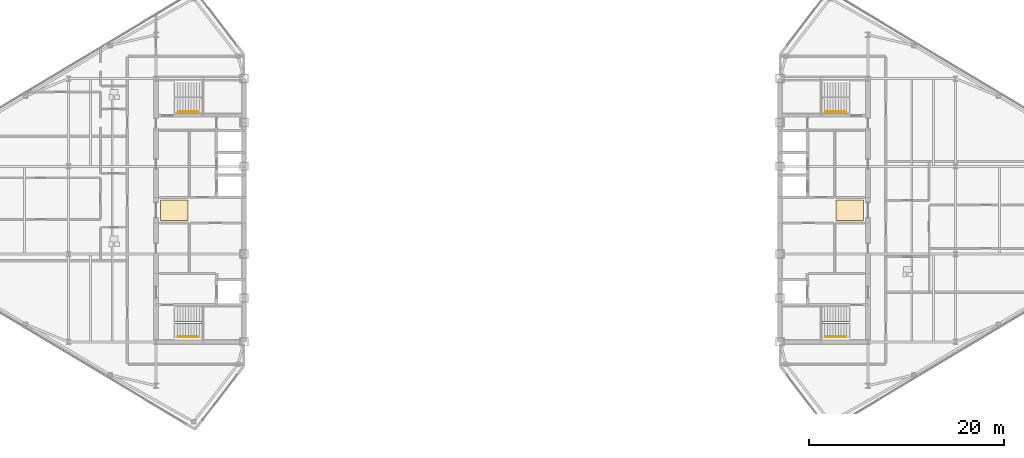
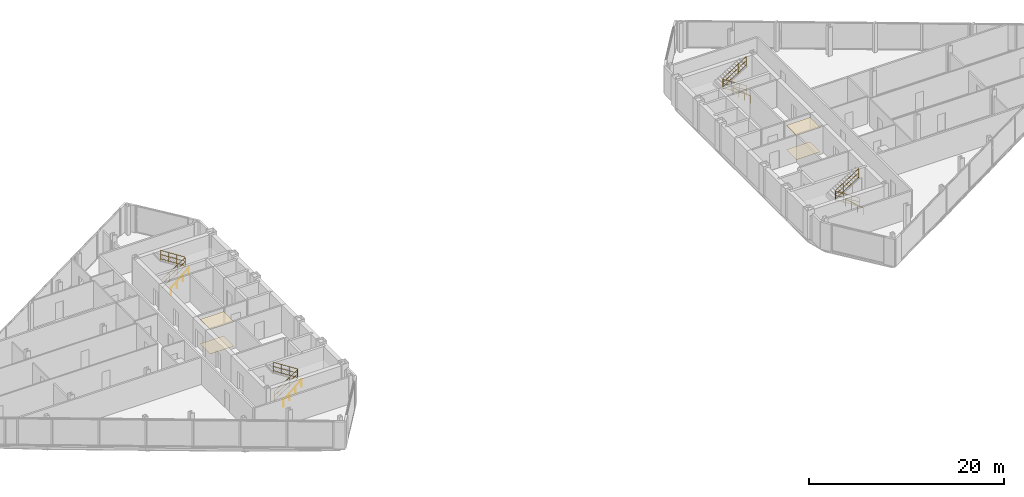
# One storey, part 24 of 25: 8 railings, 4 coverings.
"""IFC4 building model written with IfcOpenShell, lengths in metres."""

from ifc_helpers import new_model, si_unit, direction, frame, origin, origin_2d, place, context, subcontext, project, spatial, polyline, circle, outline, extrude, material, layer, layer_set, type_object, element, save


model = new_model("IFC4")

# Units and contexts
model_context = context("Model", 3, precision=1e-05, world=origin(), true_north=direction((0.0, 1.0)))
body_context = subcontext(model_context, "Body", "Model", "MODEL_VIEW")
ifc_project = project(units=[si_unit("LENGTHUNIT", "METRE"), si_unit("AREAUNIT", "SQUARE_METRE"), si_unit("VOLUMEUNIT", "CUBIC_METRE"), si_unit("PLANEANGLEUNIT", "RADIAN"), si_unit("MASSUNIT", "GRAM", prefix="KILO")], contexts=[model_context])

# Site, building, storey
site_placement = place(None, origin())
site = spatial("IfcSite", under=ifc_project, at=site_placement, CompositionType="ELEMENT")
building_placement = place(site_placement, origin())
building = spatial("IfcBuilding", under=site, at=building_placement, Name="Seokmaru Belvedere", CompositionType="ELEMENT")
storey_placement = place(building_placement, frame((0.0, 0.0, 213.89990234375)))
storey = spatial("IfcBuildingStorey", under=building, at=storey_placement, Name="L57", CompositionType="ELEMENT", Elevation=213.89990234375)

# Coverings
ifc_material_1 = material(Name="Engineered White Oak Timber", Category="wood")
ifc_layer_1 = layer(ifc_material_1, 0.02197265625)
ifc_layer_set_1 = layer_set([ifc_layer_1], Name="Engineered White Oak Timber")
covering_type_1 = type_object("IfcCoveringType", Name="Engineered Oak Residence Floor Finish 22", PredefinedType="FLOORING", material=ifc_layer_set_1)
covering_1_placement = place(storey_placement, origin())
element("IfcCovering", 1, at=covering_1_placement, inside=storey, type_object=covering_type_1, Name="L57 W Foyer Floor Finish", PredefinedType="FLOORING", context=body_context, shape_type="SweptSolid", body=[
    extrude(outline(polyline([(-36.050048828125, -1.050048828125), (-33.25, -1.050048828125), (-33.25, 1.050048828125), (-36.050048828125, 1.050048828125), (-36.050048828125, -1.050048828125)])), origin(), (0.0, 0.0, 1.0), 0.022216796875),
])
covering_2_placement = place(storey_placement, origin())
element("IfcCovering", 2, at=covering_2_placement, inside=storey, type_object=covering_type_1, Name="L57 E Foyer Floor Finish", PredefinedType="FLOORING", context=body_context, shape_type="SweptSolid", body=[
    extrude(outline(polyline([(33.25, -1.050048828125), (36.050048828125, -1.050048828125), (36.050048828125, 1.050048828125), (33.25, 1.050048828125), (33.25, -1.050048828125)])), origin(), (0.0, 0.0, 1.0), 0.022216796875),
])
ifc_material_2 = material(Name="Fire-Rated Gypsum Shaftwall")
ifc_layer_2 = layer(ifc_material_2, 0.02490234375)
ifc_layer_set_2 = layer_set([ifc_layer_2], Name="Fire-Rated Gypsum Shaftwall")
covering_type_2 = type_object("IfcCoveringType", Name="Perforated Acoustic Gypsum Suspended Ceiling 25", PredefinedType="CEILING", material=ifc_layer_set_2)
covering_3_placement = place(storey_placement, frame((0.0, 0.0, 3.030029296875)))
element("IfcCovering", 3, at=covering_3_placement, inside=storey, type_object=covering_type_2, Name="L57 W Lift Foyer Acoustic Ceiling", PredefinedType="CEILING", context=body_context, shape_type="SweptSolid", body=[
    extrude(outline(polyline([(-36.050048828125, -1.050048828125), (-33.25, -1.050048828125), (-33.25, 1.050048828125), (-36.050048828125, 1.050048828125), (-36.050048828125, -1.050048828125)])), origin(), (0.0, 0.0, 1.0), 0.025146484375),
])
covering_4_placement = place(storey_placement, frame((0.0, 0.0, 3.030029296875)))
element("IfcCovering", 4, at=covering_4_placement, inside=storey, type_object=covering_type_2, Name="L57 E Lift Foyer Acoustic Ceiling", PredefinedType="CEILING", context=body_context, shape_type="SweptSolid", body=[
    extrude(outline(polyline([(33.25, -1.050048828125), (36.050048828125, -1.050048828125), (36.050048828125, 1.050048828125), (33.25, 1.050048828125), (33.25, -1.050048828125)])), origin(), (0.0, 0.0, 1.0), 0.025146484375),
])

# Railings
ifc_material_3 = material(Name="Stainless Steel 316", Category="steel")
railing_type_1 = type_object("IfcRailingType", Name="Stainless Steel Wall and Flight Handrail 900", PredefinedType="HANDRAIL", material=ifc_material_3)
for number, where, name in (
    (5, (-34.25, -12.949951171875, 0.0), "L57 Stair ST-W1 Wall Handrail"),
    (6, (-34.25, 10.110107421875, 0.0), "L57 Stair ST-W2 Wall Handrail"),
):
    element("IfcRailing", number, at=place(storey_placement, frame(where)), inside=storey, type_object=railing_type_1, Name=name, PredefinedType="HANDRAIL", context=body_context, shape_type="SweptSolid", body=[
        extrude(circle(Radius=0.02392578125, at=origin_2d()), frame((0.0, 0.0, 0.8759765625), z_axis=(0.759262832861, 0.0, 0.650784104474), x_axis=(0.0, 1.0, 0.0)), (0.0, 0.0, 1.0), 2.765869140625),
        extrude(circle(Radius=0.02099609375, at=origin_2d()), origin(), (0.0, 0.0, 1.0), 0.851806640625),
        extrude(circle(Radius=0.02099609375, at=origin_2d()), frame((0.699951171875, 0.0, 0.60009765625)), (0.0, 0.0, 1.0), 0.851806640625),
        extrude(circle(Radius=0.02099609375, at=origin_2d()), frame((1.400146484375, 0.0, 1.199951171875)), (0.0, 0.0, 1.0), 0.851806640625),
        extrude(circle(Radius=0.02099609375, at=origin_2d()), frame((2.10009765625, 0.0, 1.800048828125)), (0.0, 0.0, 1.0), 0.851806640625),
    ])
for number, where, name in (
    (7, (34.25, -12.949951171875, 0.0), "L57 Stair ST-E1 Wall Handrail"),
    (8, (34.25, 10.110107421875, 0.0), "L57 Stair ST-E2 Wall Handrail"),
):
    element("IfcRailing", number, at=place(storey_placement, frame(where)), inside=storey, type_object=railing_type_1, Name=name, PredefinedType="HANDRAIL", context=body_context, shape_type="SweptSolid", body=[
        extrude(circle(Radius=0.02392578125, at=origin_2d()), frame((0.0, 0.0, 0.8759765625), z_axis=(-0.759262832861, 0.0, 0.650784104474), x_axis=(0.0, -1.0, 0.0)), (0.0, 0.0, 1.0), 2.765869140625),
        extrude(circle(Radius=0.02099609375, at=origin_2d()), origin(), (0.0, 0.0, 1.0), 0.851806640625),
        extrude(circle(Radius=0.02099609375, at=origin_2d()), frame((-0.699951171875, 0.0, 0.60009765625)), (0.0, 0.0, 1.0), 0.851806640625),
        extrude(circle(Radius=0.02099609375, at=origin_2d()), frame((-1.400146484375, 0.0, 1.199951171875)), (0.0, 0.0, 1.0), 0.851806640625),
        extrude(circle(Radius=0.02099609375, at=origin_2d()), frame((-2.10009765625, 0.0, 1.800048828125)), (0.0, 0.0, 1.0), 0.851806640625),
    ])
railing_type_2 = type_object("IfcRailingType", Name="Stair Well and Atrium Steel Guardrail 1200", PredefinedType="GUARDRAIL", material=ifc_material_3)
railing_1_placement = place(storey_placement, frame((-34.60009765625, -11.60009765625, 0.0)))
element("IfcRailing", 9, at=railing_1_placement, inside=storey, type_object=railing_type_2, Name="L57 Stair ST-W1 Inner Well Guardrail", PredefinedType="GUARDRAIL", context=body_context, shape_type="SweptSolid", body=[
    extrude(circle(Radius=0.02392578125, at=origin_2d()), frame((0.0, 0.0, 1.17578125), z_axis=(0.841176092368, 0.0, 0.540761298198), x_axis=(0.0, 1.0, 0.0)), (0.0, 0.0, 1.0), 3.32861328125),
    extrude(circle(Radius=0.02392578125, at=origin_2d()), frame((0.0, 0.0, 0.1201171875), z_axis=(0.841176092368, 0.0, 0.540761298198), x_axis=(0.0, 1.0, 0.0)), (0.0, 0.0, 1.0), 3.32861328125),
    extrude(circle(Radius=0.02392578125, at=origin_2d()), frame((0.0, 0.0, 0.659912109375), z_axis=(0.841176092368, 0.0, 0.540761298198), x_axis=(0.0, 1.0, 0.0)), (0.0, 0.0, 1.0), 3.32861328125),
    extrude(circle(Radius=0.02392578125, at=origin_2d()), frame((2.800048828125, 0.0, 2.97607421875), z_axis=(0.0, 1.0, 0.0), x_axis=(-1.0, 0.0, 0.0)), (0.0, 0.0, 1.0), 0.14013671875),
    extrude(circle(Radius=0.02392578125, at=origin_2d()), frame((2.800048828125, 0.0, 1.920166015625), z_axis=(0.0, 1.0, 0.0), x_axis=(-1.0, 0.0, 0.0)), (0.0, 0.0, 1.0), 0.14013671875),
    extrude(circle(Radius=0.02392578125, at=origin_2d()), frame((2.800048828125, 0.0, 2.4599609375), z_axis=(0.0, 1.0, 0.0), x_axis=(-1.0, 0.0, 0.0)), (0.0, 0.0, 1.0), 0.14013671875),
    extrude(circle(Radius=0.02392578125, at=origin_2d()), frame((2.800048828125, 0.14013671875, 2.97607421875), z_axis=(-0.841176092368, 0.0, 0.540761298198), x_axis=(0.0, -1.0, 0.0)), (0.0, 0.0, 1.0), 3.32861328125),
    extrude(circle(Radius=0.02392578125, at=origin_2d()), frame((2.800048828125, 0.14013671875, 1.920166015625), z_axis=(-0.841176092368, 0.0, 0.540761298198), x_axis=(0.0, -1.0, 0.0)), (0.0, 0.0, 1.0), 3.32861328125),
    extrude(circle(Radius=0.02392578125, at=origin_2d()), frame((2.800048828125, 0.14013671875, 2.4599609375), z_axis=(-0.841176092368, 0.0, 0.540761298198), x_axis=(0.0, -1.0, 0.0)), (0.0, 0.0, 1.0), 3.32861328125),
    extrude(circle(Radius=0.02099609375, at=origin_2d()), origin(), (0.0, 0.0, 1.0), 1.15185546875),
    extrude(circle(Radius=0.02099609375, at=origin_2d()), frame((0.933349609375, 0.0, 0.60009765625)), (0.0, 0.0, 1.0), 1.15185546875),
    extrude(circle(Radius=0.02099609375, at=origin_2d()), frame((1.86669921875, 0.0, 1.199951171875)), (0.0, 0.0, 1.0), 1.15185546875),
    extrude(circle(Radius=0.02099609375, at=origin_2d()), frame((2.800048828125, 0.0, 1.800048828125)), (0.0, 0.0, 1.0), 1.15185546875),
    extrude(circle(Radius=0.02099609375, at=origin_2d()), frame((2.800048828125, 0.14013671875, 1.800048828125)), (0.0, 0.0, 1.0), 1.15185546875),
    extrude(circle(Radius=0.02099609375, at=origin_2d()), frame((1.86669921875, 0.14013671875, 2.400146484375)), (0.0, 0.0, 1.0), 1.15185546875),
    extrude(circle(Radius=0.02099609375, at=origin_2d()), frame((0.933349609375, 0.14013671875, 3.0)), (0.0, 0.0, 1.0), 1.15185546875),
    extrude(circle(Radius=0.02099609375, at=origin_2d()), frame((0.0, 0.14013671875, 3.60009765625)), (0.0, 0.0, 1.0), 1.15185546875),
])
railing_2_placement = place(storey_placement, frame((-34.60009765625, 11.4599609375, 0.0)))
element("IfcRailing", 10, at=railing_2_placement, inside=storey, type_object=railing_type_2, Name="L57 Stair ST-W2 Inner Well Guardrail", PredefinedType="GUARDRAIL", context=body_context, shape_type="SweptSolid", body=[
    extrude(circle(Radius=0.02392578125, at=origin_2d()), frame((0.0, 0.0, 1.17578125), z_axis=(0.841176092368, 0.0, 0.540761298198), x_axis=(0.0, 1.0, 0.0)), (0.0, 0.0, 1.0), 3.32861328125),
    extrude(circle(Radius=0.02392578125, at=origin_2d()), frame((0.0, 0.0, 0.1201171875), z_axis=(0.841176092368, 0.0, 0.540761298198), x_axis=(0.0, 1.0, 0.0)), (0.0, 0.0, 1.0), 3.32861328125),
    extrude(circle(Radius=0.02392578125, at=origin_2d()), frame((0.0, 0.0, 0.659912109375), z_axis=(0.841176092368, 0.0, 0.540761298198), x_axis=(0.0, 1.0, 0.0)), (0.0, 0.0, 1.0), 3.32861328125),
    extrude(circle(Radius=0.02392578125, at=origin_2d()), frame((2.800048828125, 0.0, 2.97607421875), z_axis=(0.0, 1.0, 0.0), x_axis=(-1.0, 0.0, 0.0)), (0.0, 0.0, 1.0), 0.14013671875),
    extrude(circle(Radius=0.02392578125, at=origin_2d()), frame((2.800048828125, 0.0, 1.920166015625), z_axis=(0.0, 1.0, 0.0), x_axis=(-1.0, 0.0, 0.0)), (0.0, 0.0, 1.0), 0.14013671875),
    extrude(circle(Radius=0.02392578125, at=origin_2d()), frame((2.800048828125, 0.0, 2.4599609375), z_axis=(0.0, 1.0, 0.0), x_axis=(-1.0, 0.0, 0.0)), (0.0, 0.0, 1.0), 0.14013671875),
    extrude(circle(Radius=0.02392578125, at=origin_2d()), frame((2.800048828125, 0.14013671875, 2.97607421875), z_axis=(-0.841176092368, 0.0, 0.540761298198), x_axis=(0.0, -1.0, 0.0)), (0.0, 0.0, 1.0), 3.32861328125),
    extrude(circle(Radius=0.02392578125, at=origin_2d()), frame((2.800048828125, 0.14013671875, 1.920166015625), z_axis=(-0.841176092368, 0.0, 0.540761298198), x_axis=(0.0, -1.0, 0.0)), (0.0, 0.0, 1.0), 3.32861328125),
    extrude(circle(Radius=0.02392578125, at=origin_2d()), frame((2.800048828125, 0.14013671875, 2.4599609375), z_axis=(-0.841176092368, 0.0, 0.540761298198), x_axis=(0.0, -1.0, 0.0)), (0.0, 0.0, 1.0), 3.32861328125),
    extrude(circle(Radius=0.02099609375, at=origin_2d()), origin(), (0.0, 0.0, 1.0), 1.15185546875),
    extrude(circle(Radius=0.02099609375, at=origin_2d()), frame((0.933349609375, 0.0, 0.60009765625)), (0.0, 0.0, 1.0), 1.15185546875),
    extrude(circle(Radius=0.02099609375, at=origin_2d()), frame((1.86669921875, 0.0, 1.199951171875)), (0.0, 0.0, 1.0), 1.15185546875),
    extrude(circle(Radius=0.02099609375, at=origin_2d()), frame((2.800048828125, 0.0, 1.800048828125)), (0.0, 0.0, 1.0), 1.15185546875),
    extrude(circle(Radius=0.02099609375, at=origin_2d()), frame((2.800048828125, 0.14013671875, 1.800048828125)), (0.0, 0.0, 1.0), 1.15185546875),
    extrude(circle(Radius=0.02099609375, at=origin_2d()), frame((1.86669921875, 0.14013671875, 2.400146484375)), (0.0, 0.0, 1.0), 1.15185546875),
    extrude(circle(Radius=0.02099609375, at=origin_2d()), frame((0.933349609375, 0.14013671875, 3.0)), (0.0, 0.0, 1.0), 1.15185546875),
    extrude(circle(Radius=0.02099609375, at=origin_2d()), frame((0.0, 0.14013671875, 3.60009765625)), (0.0, 0.0, 1.0), 1.15185546875),
])
railing_3_placement = place(storey_placement, frame((34.60009765625, -11.60009765625, 0.0)))
element("IfcRailing", 11, at=railing_3_placement, inside=storey, type_object=railing_type_2, Name="L57 Stair ST-E1 Inner Well Guardrail", PredefinedType="GUARDRAIL", context=body_context, shape_type="SweptSolid", body=[
    extrude(circle(Radius=0.02392578125, at=origin_2d()), frame((0.0, 0.0, 1.17578125), z_axis=(-0.841176092368, 0.0, 0.540761298198), x_axis=(0.0, -1.0, 0.0)), (0.0, 0.0, 1.0), 3.32861328125),
    extrude(circle(Radius=0.02392578125, at=origin_2d()), frame((0.0, 0.0, 0.1201171875), z_axis=(-0.841176092368, 0.0, 0.540761298198), x_axis=(0.0, -1.0, 0.0)), (0.0, 0.0, 1.0), 3.32861328125),
    extrude(circle(Radius=0.02392578125, at=origin_2d()), frame((0.0, 0.0, 0.659912109375), z_axis=(-0.841176092368, 0.0, 0.540761298198), x_axis=(0.0, -1.0, 0.0)), (0.0, 0.0, 1.0), 3.32861328125),
    extrude(circle(Radius=0.02392578125, at=origin_2d()), frame((-2.800048828125, 0.0, 2.97607421875), z_axis=(0.0, 1.0, 0.0), x_axis=(-1.0, 0.0, 0.0)), (0.0, 0.0, 1.0), 0.14013671875),
    extrude(circle(Radius=0.02392578125, at=origin_2d()), frame((-2.800048828125, 0.0, 1.920166015625), z_axis=(0.0, 1.0, 0.0), x_axis=(-1.0, 0.0, 0.0)), (0.0, 0.0, 1.0), 0.14013671875),
    extrude(circle(Radius=0.02392578125, at=origin_2d()), frame((-2.800048828125, 0.0, 2.4599609375), z_axis=(0.0, 1.0, 0.0), x_axis=(-1.0, 0.0, 0.0)), (0.0, 0.0, 1.0), 0.14013671875),
    extrude(circle(Radius=0.02392578125, at=origin_2d()), frame((-2.800048828125, 0.14013671875, 2.97607421875), z_axis=(0.841176092368, 0.0, 0.540761298198), x_axis=(0.0, 1.0, 0.0)), (0.0, 0.0, 1.0), 3.32861328125),
    extrude(circle(Radius=0.02392578125, at=origin_2d()), frame((-2.800048828125, 0.14013671875, 1.920166015625), z_axis=(0.841176092368, 0.0, 0.540761298198), x_axis=(0.0, 1.0, 0.0)), (0.0, 0.0, 1.0), 3.32861328125),
    extrude(circle(Radius=0.02392578125, at=origin_2d()), frame((-2.800048828125, 0.14013671875, 2.4599609375), z_axis=(0.841176092368, 0.0, 0.540761298198), x_axis=(0.0, 1.0, 0.0)), (0.0, 0.0, 1.0), 3.32861328125),
    extrude(circle(Radius=0.02099609375, at=origin_2d()), origin(), (0.0, 0.0, 1.0), 1.15185546875),
    extrude(circle(Radius=0.02099609375, at=origin_2d()), frame((-0.933349609375, 0.0, 0.60009765625)), (0.0, 0.0, 1.0), 1.15185546875),
    extrude(circle(Radius=0.02099609375, at=origin_2d()), frame((-1.86669921875, 0.0, 1.199951171875)), (0.0, 0.0, 1.0), 1.15185546875),
    extrude(circle(Radius=0.02099609375, at=origin_2d()), frame((-2.800048828125, 0.0, 1.800048828125)), (0.0, 0.0, 1.0), 1.15185546875),
    extrude(circle(Radius=0.02099609375, at=origin_2d()), frame((-2.800048828125, 0.14013671875, 1.800048828125)), (0.0, 0.0, 1.0), 1.15185546875),
    extrude(circle(Radius=0.02099609375, at=origin_2d()), frame((-1.86669921875, 0.14013671875, 2.400146484375)), (0.0, 0.0, 1.0), 1.15185546875),
    extrude(circle(Radius=0.02099609375, at=origin_2d()), frame((-0.933349609375, 0.14013671875, 3.0)), (0.0, 0.0, 1.0), 1.15185546875),
    extrude(circle(Radius=0.02099609375, at=origin_2d()), frame((0.0, 0.14013671875, 3.60009765625)), (0.0, 0.0, 1.0), 1.15185546875),
])
railing_4_placement = place(storey_placement, frame((34.60009765625, 11.4599609375, 0.0)))
element("IfcRailing", 12, at=railing_4_placement, inside=storey, type_object=railing_type_2, Name="L57 Stair ST-E2 Inner Well Guardrail", PredefinedType="GUARDRAIL", context=body_context, shape_type="SweptSolid", body=[
    extrude(circle(Radius=0.02392578125, at=origin_2d()), frame((0.0, 0.0, 1.17578125), z_axis=(-0.841176092368, 0.0, 0.540761298198), x_axis=(0.0, -1.0, 0.0)), (0.0, 0.0, 1.0), 3.32861328125),
    extrude(circle(Radius=0.02392578125, at=origin_2d()), frame((0.0, 0.0, 0.1201171875), z_axis=(-0.841176092368, 0.0, 0.540761298198), x_axis=(0.0, -1.0, 0.0)), (0.0, 0.0, 1.0), 3.32861328125),
    extrude(circle(Radius=0.02392578125, at=origin_2d()), frame((0.0, 0.0, 0.659912109375), z_axis=(-0.841176092368, 0.0, 0.540761298198), x_axis=(0.0, -1.0, 0.0)), (0.0, 0.0, 1.0), 3.32861328125),
    extrude(circle(Radius=0.02392578125, at=origin_2d()), frame((-2.800048828125, 0.0, 2.97607421875), z_axis=(0.0, 1.0, 0.0), x_axis=(-1.0, 0.0, 0.0)), (0.0, 0.0, 1.0), 0.14013671875),
    extrude(circle(Radius=0.02392578125, at=origin_2d()), frame((-2.800048828125, 0.0, 1.920166015625), z_axis=(0.0, 1.0, 0.0), x_axis=(-1.0, 0.0, 0.0)), (0.0, 0.0, 1.0), 0.14013671875),
    extrude(circle(Radius=0.02392578125, at=origin_2d()), frame((-2.800048828125, 0.0, 2.4599609375), z_axis=(0.0, 1.0, 0.0), x_axis=(-1.0, 0.0, 0.0)), (0.0, 0.0, 1.0), 0.14013671875),
    extrude(circle(Radius=0.02392578125, at=origin_2d()), frame((-2.800048828125, 0.14013671875, 2.97607421875), z_axis=(0.841176092368, 0.0, 0.540761298198), x_axis=(0.0, 1.0, 0.0)), (0.0, 0.0, 1.0), 3.32861328125),
    extrude(circle(Radius=0.02392578125, at=origin_2d()), frame((-2.800048828125, 0.14013671875, 1.920166015625), z_axis=(0.841176092368, 0.0, 0.540761298198), x_axis=(0.0, 1.0, 0.0)), (0.0, 0.0, 1.0), 3.32861328125),
    extrude(circle(Radius=0.02392578125, at=origin_2d()), frame((-2.800048828125, 0.14013671875, 2.4599609375), z_axis=(0.841176092368, 0.0, 0.540761298198), x_axis=(0.0, 1.0, 0.0)), (0.0, 0.0, 1.0), 3.32861328125),
    extrude(circle(Radius=0.02099609375, at=origin_2d()), origin(), (0.0, 0.0, 1.0), 1.15185546875),
    extrude(circle(Radius=0.02099609375, at=origin_2d()), frame((-0.933349609375, 0.0, 0.60009765625)), (0.0, 0.0, 1.0), 1.15185546875),
    extrude(circle(Radius=0.02099609375, at=origin_2d()), frame((-1.86669921875, 0.0, 1.199951171875)), (0.0, 0.0, 1.0), 1.15185546875),
    extrude(circle(Radius=0.02099609375, at=origin_2d()), frame((-2.800048828125, 0.0, 1.800048828125)), (0.0, 0.0, 1.0), 1.15185546875),
    extrude(circle(Radius=0.02099609375, at=origin_2d()), frame((-2.800048828125, 0.14013671875, 1.800048828125)), (0.0, 0.0, 1.0), 1.15185546875),
    extrude(circle(Radius=0.02099609375, at=origin_2d()), frame((-1.86669921875, 0.14013671875, 2.400146484375)), (0.0, 0.0, 1.0), 1.15185546875),
    extrude(circle(Radius=0.02099609375, at=origin_2d()), frame((-0.933349609375, 0.14013671875, 3.0)), (0.0, 0.0, 1.0), 1.15185546875),
    extrude(circle(Radius=0.02099609375, at=origin_2d()), frame((0.0, 0.14013671875, 3.60009765625)), (0.0, 0.0, 1.0), 1.15185546875),
])

save(model, "model.ifc")
